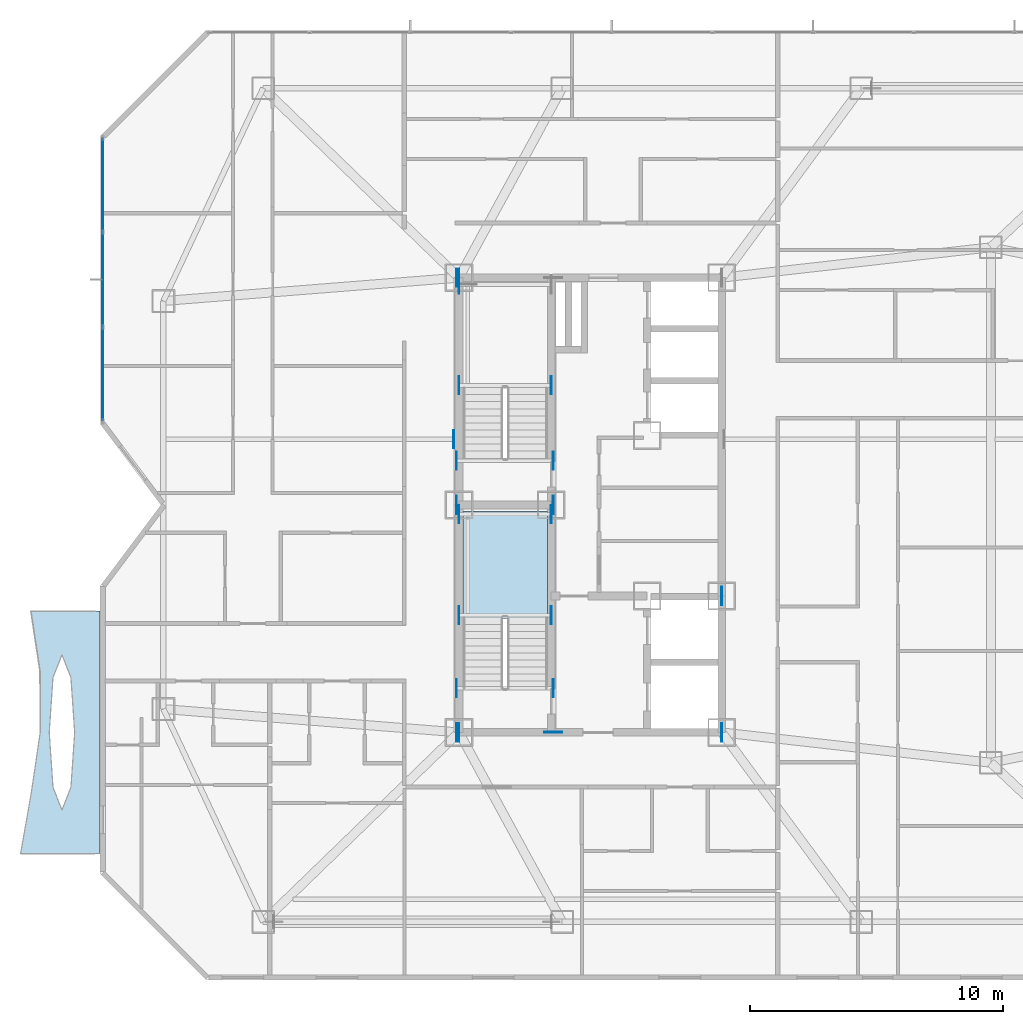
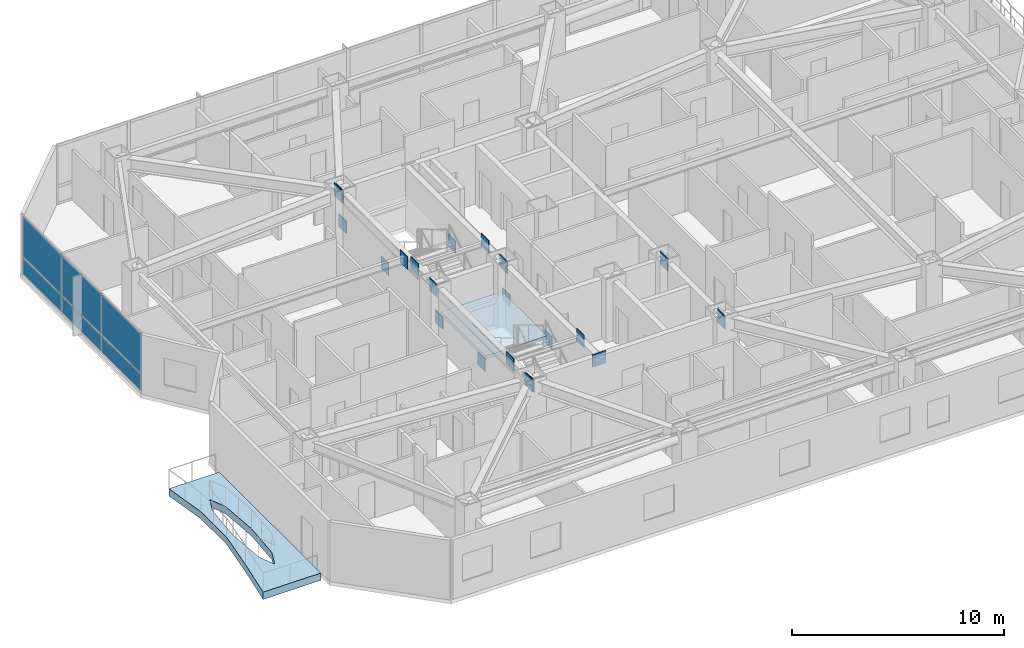
# One storey, part 9 of 21: 28 plates, 2 slabs, 2 elements without a shape of their own.
"""IFC4 building model written with IfcOpenShell, lengths in metres."""

from ifc_helpers import new_model, si_unit, direction, frame, origin, origin_2d, place, context, subcontext, project, spatial, polyline, rectangle, outline, extrude, material, layer, layer_set, type_object, element, aggregate, save


model = new_model("IFC4")

# Units and contexts
model_context = context("Model", 3, precision=1e-05, world=origin(), true_north=direction((0.0, 1.0)))
body_context = subcontext(model_context, "Body", "Model", "MODEL_VIEW")
ifc_project = project(units=[si_unit("LENGTHUNIT", "METRE"), si_unit("AREAUNIT", "SQUARE_METRE"), si_unit("VOLUMEUNIT", "CUBIC_METRE"), si_unit("PLANEANGLEUNIT", "RADIAN"), si_unit("MASSUNIT", "GRAM", prefix="KILO")], contexts=[model_context])

# Site, building, storey
site_placement = place(None, origin())
site = spatial("IfcSite", under=ifc_project, at=site_placement, CompositionType="ELEMENT")
building_placement = place(site_placement, origin())
building = spatial("IfcBuilding", under=site, at=building_placement, Name="Khamvora Tower", CompositionType="ELEMENT")
storey_placement = place(building_placement, frame((0.0, 0.0, 159.550048828125)))
storey = spatial("IfcBuildingStorey", under=building, at=storey_placement, Name="L40", CompositionType="ELEMENT", Elevation=159.550048828125)

# Curtain wall, plates
ifc_material_1 = material(Name="Anodised Aluminium 6063-T6", Category="aluminium")
curtain_wall_type = type_object("IfcCurtainWallType", Name="CW-SYS-04", PredefinedType="NOTDEFINED", material=ifc_material_1)
curtain_wall_placement = place(storey_placement, origin())
curtain_wall = element("IfcCurtainWall", 1, at=curtain_wall_placement, inside=storey, type_object=curtain_wall_type, Name="L40 stick curtain wall 05.1", PredefinedType="NOTDEFINED")
ifc_material_2 = material(Name="Low-E Laminated Double Glazing", Category="glass")
ifc_layer_1 = layer(ifc_material_2, 0.028076171875)
ifc_layer_set_1 = layer_set([ifc_layer_1], Name="Low-E Laminated Double Glazing")
plate_type_1 = type_object("IfcPlateType", Name="CW-SYS-04-PNL", PredefinedType="CURTAIN_PANEL", material=ifc_layer_set_1)
plate_1_placement = place(storey_placement, frame((14.89990234375, 33.179443359375, 0.06494140625), z_axis=(0.0, 0.0, 1.0), x_axis=(0.0, 1.0, 0.0)))
plate_1 = element("IfcPlate", 2, at=plate_1_placement, type_object=plate_type_1, Name="CW-04 panel 1.1", PredefinedType="CURTAIN_PANEL", context=body_context, shape_type="SweptSolid", body=[
    extrude(rectangle(XDim=3.660888671875, YDim=0.028076171875, at=origin_2d()), origin(), (0.0, 0.0, 1.0), 0.952392578125),
])
plate_2_placement = place(storey_placement, frame((14.89990234375, 33.179443359375, 1.08251953125), z_axis=(0.0, 0.0, 1.0), x_axis=(0.0, 1.0, 0.0)))
plate_2 = element("IfcPlate", 3, at=plate_2_placement, type_object=plate_type_1, Name="CW-04 panel 1.2", PredefinedType="CURTAIN_PANEL", context=body_context, shape_type="SweptSolid", body=[
    extrude(rectangle(XDim=3.660888671875, YDim=0.028076171875, at=origin_2d()), origin(), (0.0, 0.0, 1.0), 2.282470703125),
])
plate_3_placement = place(storey_placement, frame((14.89990234375, 36.92138671875, 0.06494140625), z_axis=(0.0, 0.0, 1.0), x_axis=(0.0, 1.0, 0.0)))
plate_3 = element("IfcPlate", 4, at=plate_3_placement, type_object=plate_type_1, Name="CW-04 panel 2.1", PredefinedType="CURTAIN_PANEL", context=body_context, shape_type="SweptSolid", body=[
    extrude(rectangle(XDim=3.693359375, YDim=0.028076171875, at=origin_2d()), origin(), (0.0, 0.0, 1.0), 0.952392578125),
])
plate_4_placement = place(storey_placement, frame((14.89990234375, 36.92138671875, 1.08251953125), z_axis=(0.0, 0.0, 1.0), x_axis=(0.0, 1.0, 0.0)))
plate_4 = element("IfcPlate", 5, at=plate_4_placement, type_object=plate_type_1, Name="CW-04 panel 2.2", PredefinedType="CURTAIN_PANEL", context=body_context, shape_type="SweptSolid", body=[
    extrude(rectangle(XDim=3.693359375, YDim=0.028076171875, at=origin_2d()), origin(), (0.0, 0.0, 1.0), 2.282470703125),
])
plate_5_placement = place(storey_placement, frame((14.89990234375, 40.66357421875, 0.06494140625), z_axis=(0.0, 0.0, 1.0), x_axis=(0.0, 1.0, 0.0)))
plate_5 = element("IfcPlate", 6, at=plate_5_placement, type_object=plate_type_1, Name="CW-04 panel 3.1", PredefinedType="CURTAIN_PANEL", context=body_context, shape_type="SweptSolid", body=[
    extrude(rectangle(XDim=3.660888671875, YDim=0.028076171875, at=origin_2d()), origin(), (0.0, 0.0, 1.0), 0.952392578125),
])
plate_6_placement = place(storey_placement, frame((14.89990234375, 40.66357421875, 1.08251953125), z_axis=(0.0, 0.0, 1.0), x_axis=(0.0, 1.0, 0.0)))
plate_6 = element("IfcPlate", 7, at=plate_6_placement, type_object=plate_type_1, Name="CW-04 panel 3.2", PredefinedType="CURTAIN_PANEL", context=body_context, shape_type="SweptSolid", body=[
    extrude(rectangle(XDim=3.660888671875, YDim=0.028076171875, at=origin_2d()), origin(), (0.0, 0.0, 1.0), 2.282470703125),
])
aggregate(curtain_wall, [plate_1, plate_2, plate_3, plate_4, plate_5, plate_6])

# Plates
ifc_material_3 = material(Name="Steel S460", Category="steel")
ifc_layer_2 = layer(ifc_material_3, 0.034912109375)
ifc_layer_set_2 = layer_set([ifc_layer_2], Name="Steel S460")
plate_type_2 = type_object("IfcPlateType", Name="PL-EMB-35", PredefinedType="SHEET", material=ifc_layer_set_2)
for number, where, z_axis, x_axis, name in (
    (8, (29.0, 23.635009765625, 1.1337890625), (0.0, 0.0, 1.0), (1.0, 0.0, 0.0), "L40 core shear wall cast-in embed plate 1170"),
    (9, (32.64990234375, 23.635009765625, 1.1337890625), (0.0, 0.0, 1.0), (1.0, 0.0, 0.0), "L40 core shear wall cast-in embed plate 1171"),
    (10, (29.0, 27.6298828125, 1.1337890625), (0.0, 0.0, 1.0), (1.0, 0.0, 0.0), "L40 core shear wall cast-in embed plate 1172"),
    (11, (32.64990234375, 27.6298828125, 1.1337890625), (0.0, 0.0, 1.0), (1.0, 0.0, 0.0), "L40 core shear wall cast-in embed plate 1173"),
    (12, (29.0, 32.735107421875, 1.1337890625), (0.0, 0.0, 1.0), (1.0, 0.0, 0.0), "L40 core shear wall cast-in embed plate 1174"),
    (13, (32.64990234375, 32.735107421875, 1.1337890625), (0.0, 0.0, 1.0), (1.0, 0.0, 0.0), "L40 core shear wall cast-in embed plate 1175"),
    (14, (29.0, 36.72998046875, 1.1337890625), (0.0, 0.0, 1.0), (1.0, 0.0, 0.0), "L40 core shear wall cast-in embed plate 1176"),
    (15, (29.0, 19.0, 2.72216796875), (0.0, 0.0, 1.0), (1.0, 0.0, 0.0), "L40 core shear wall cast-in embed plate 1179"),
    (16, (39.39990234375, 19.0, 2.72216796875), (0.0, 0.0, 1.0), (1.0, 0.0, 0.0), "L40 core shear wall cast-in embed plate 1180"),
    (17, (29.0, 37.0, 2.72216796875), (0.0, 0.0, 1.0), (1.0, 0.0, 0.0), "L40 core shear wall cast-in embed plate 1181"),
    (18, (28.89990234375, 19.0, 2.802734375), (0.0, 0.0, 1.0), (1.0, 0.0, 0.0), "L40 core shear wall cast-in embed plate 1183"),
    (19, (28.89990234375, 28.0, 2.802734375), (0.0, 0.0, 1.0), (1.0, 0.0, 0.0), "L40 core shear wall cast-in embed plate 1184"),
    (20, (28.89990234375, 37.0, 2.802734375), (0.0, 0.0, 1.0), (1.0, 0.0, 0.0), "L40 core shear wall cast-in embed plate 1185"),
):
    element("IfcPlate", number, at=place(storey_placement, frame(where, z_axis=z_axis, x_axis=x_axis)), inside=storey, type_object=plate_type_2, Name=name, PredefinedType="SHEET", context=body_context, shape_type="SweptSolid", body=[
        extrude(rectangle(XDim=0.034912109375, YDim=0.719970703125, at=origin_2d()), origin(), (0.0, 0.0, 1.0), 0.719970703125),
    ])
plate_7_placement = place(storey_placement, frame((32.72998046875, 19.0, 2.802734375), z_axis=(0.0, 0.0, 1.0), x_axis=(1.0, 0.0, 0.0)))
element("IfcPlate", 21, at=plate_7_placement, inside=storey, type_object=plate_type_2, Name="L40 core shear wall cast-in embed plate 1186", PredefinedType="SHEET", context=body_context, shape_type="SweptSolid", body=[
    extrude(rectangle(XDim=0.719970703125, YDim=0.034912109375, at=origin_2d()), origin(), (0.0, 0.0, 1.0), 0.719970703125),
])
for number, where, z_axis, x_axis, name in (
    (22, (32.72998046875, 28.0, 2.802734375), (0.0, 0.0, 1.0), (1.0, 0.0, 0.0), "L40 core shear wall cast-in embed plate 1187"),
    (23, (39.39990234375, 19.0, 2.802734375), (0.0, 0.0, 1.0), (1.0, 0.0, 0.0), "L40 core shear wall cast-in embed plate 1189"),
    (24, (39.39990234375, 24.39990234375, 2.802734375), (0.0, 0.0, 1.0), (1.0, 0.0, 0.0), "L40 core shear wall cast-in embed plate 1190"),
    (25, (28.89990234375, 20.75, 2.94384765625), (0.0, 0.0, 1.0), (1.0, 0.0, 0.0), "L40 core shear wall cast-in embed plate 1192"),
    (26, (32.72998046875, 20.75, 2.94384765625), (0.0, 0.0, 1.0), (1.0, 0.0, 0.0), "L40 core shear wall cast-in embed plate 1193"),
    (27, (28.89990234375, 29.75, 2.94384765625), (0.0, 0.0, 1.0), (1.0, 0.0, 0.0), "L40 core shear wall cast-in embed plate 1194"),
    (28, (32.72998046875, 29.75, 2.94384765625), (0.0, 0.0, 1.0), (1.0, 0.0, 0.0), "L40 core shear wall cast-in embed plate 1195"),
    (29, (28.800048828125, 30.60009765625, 2.86572265625), (0.0, 0.0, 1.0), (1.0, 0.0, 0.0), "L40 core shear wall cast-in embed plate 1196"),
):
    element("IfcPlate", number, at=place(storey_placement, frame(where, z_axis=z_axis, x_axis=x_axis)), inside=storey, type_object=plate_type_2, Name=name, PredefinedType="SHEET", context=body_context, shape_type="SweptSolid", body=[
        extrude(rectangle(XDim=0.034912109375, YDim=0.719970703125, at=origin_2d()), origin(), (0.0, 0.0, 1.0), 0.719970703125),
    ])

# Slab
ifc_material_4 = material(Name="Concrete C40/50", Category="concrete")
ifc_layer_3 = layer(ifc_material_4, 0.419921875)
ifc_layer_set_3 = layer_set([ifc_layer_3], Name="Concrete C40/50")
slab_type_1 = type_object("IfcSlabType", Name="SLB-GRD-420", PredefinedType="FLOOR", material=ifc_layer_set_3)
slab_1_placement = place(storey_placement, frame((0.0, 0.0, -0.420166015625)))
element("IfcSlab", 30, at=slab_1_placement, inside=storey, type_object=slab_type_1, Name="L40 external lens gallery slab WL1", PredefinedType="FLOOR", context=body_context, shape_type="SweptSolid", body=[
    extrude(outline(polyline([(14.800048828125, 14.199951171875), (14.800048828125, 23.800048828125), (12.056884765625, 23.800048828125), (12.4189453125, 21.39990234375), (12.425048828125, 19.0), (12.071044921875, 16.60009765625), (11.64794921875, 14.199951171875), (14.800048828125, 14.199951171875)]), holes=[polyline([(13.7890625, 19.0), (13.64111328125, 21.172119140625), (13.284912109375, 22.072021484375), (12.928955078125, 21.172119140625), (12.781005859375, 19.0), (12.928955078125, 16.827880859375), (13.284912109375, 15.927978515625), (13.64111328125, 16.827880859375), (13.7890625, 19.0)])]), origin(), (0.0, 0.0, 1.0), 0.420166015625),
])

# Stair, slab
stair_type = type_object("IfcStairType", Name="STR-ST-01", PredefinedType="HALF_TURN_STAIR", material=ifc_material_4)
stair_placement = place(storey_placement, origin())
stair = element("IfcStair", 31, at=stair_placement, inside=storey, type_object=stair_type, Name="L40 South Tower Exit Stair ST-01", PredefinedType="HALF_TURN_STAIR")
ifc_layer_4 = layer(ifc_material_4, 0.199951171875)
ifc_layer_set_4 = layer_set([ifc_layer_4], Name="Concrete C40/50")
slab_type_2 = type_object("IfcSlabType", Name="SLB-LND-200", PredefinedType="LANDING", material=ifc_layer_set_4)
slab_2_placement = place(storey_placement, frame((0.0, 0.0, 1.625)))
slab_2 = element("IfcSlab", 32, at=slab_2_placement, type_object=slab_type_2, Name="ST-01 landing 1", PredefinedType="LANDING", context=body_context, shape_type="SweptSolid", body=[
    extrude(outline(polyline([(32.5, 23.514892578125), (32.5, 27.75), (29.14990234375, 27.75), (29.14990234375, 23.514892578125), (32.5, 23.514892578125)])), origin(), (0.0, 0.0, 1.0), 0.199951171875),
])
aggregate(stair, [slab_2])

save(model, "model.ifc")
